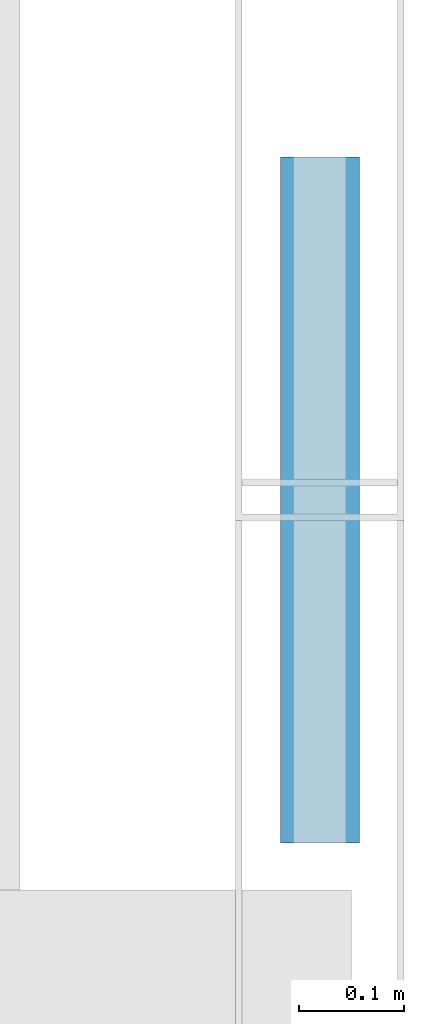
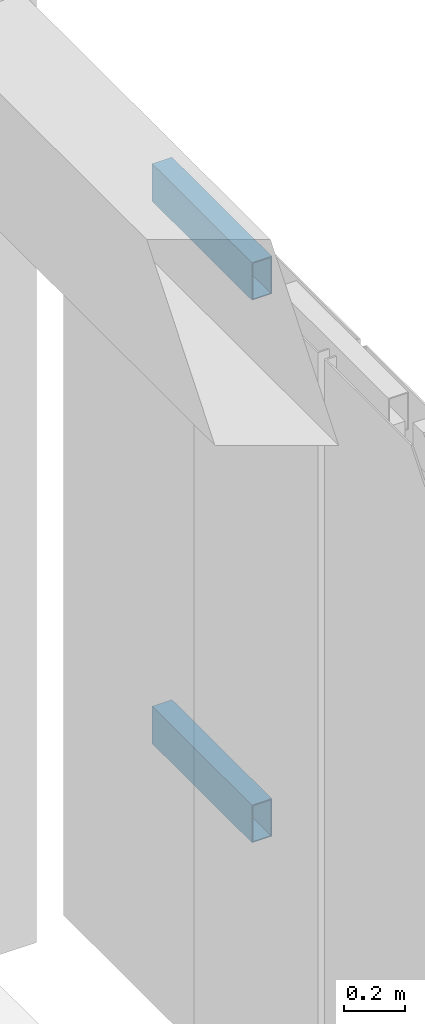
# One storey, part 15 of 33: 2 members, 1 element without a shape of its own.
"""IFC4 building model written with IfcOpenShell, lengths in metres."""

from ifc_helpers import new_model, si_unit, direction, frame, origin, origin_2d, place, context, subcontext, project, spatial, hollow_rectangle, extrude, material, material_profile, profile_set, type_object, element, aggregate, save


model = new_model("IFC4")

# Units and contexts
model_context = context("Model", 3, precision=1e-05, world=origin(), true_north=direction((0.0, 1.0)))
body_context = subcontext(model_context, "Body", "Model", "MODEL_VIEW")
ifc_project = project(units=[si_unit("LENGTHUNIT", "METRE"), si_unit("AREAUNIT", "SQUARE_METRE"), si_unit("VOLUMEUNIT", "CUBIC_METRE"), si_unit("PLANEANGLEUNIT", "RADIAN"), si_unit("MASSUNIT", "GRAM", prefix="KILO")], contexts=[model_context])

# Site, building, storey
site_placement = place(None, origin())
site = spatial("IfcSite", under=ifc_project, at=site_placement, CompositionType="ELEMENT")
building_placement = place(site_placement, origin())
building = spatial("IfcBuilding", under=site, at=building_placement, Name="Aldebral Square Health Centre", CompositionType="ELEMENT")
storey_placement = place(building_placement, frame((0.0, 0.0, 17.550048828125)))
storey = spatial("IfcBuildingStorey", under=building, at=storey_placement, Name="L04", CompositionType="ELEMENT", Elevation=17.550048828125)

# Curtain wall, members
ifc_material_1 = material(Name="Aluminium and low-E solar glass", Category="aluminium")
curtain_wall_type = type_object("IfcCurtainWallType", Name="CW-FIN-SYS", PredefinedType="USERDEFINED", material=ifc_material_1)
curtain_wall_placement = place(storey_placement, origin())
curtain_wall = element("IfcCurtainWall", 1, at=curtain_wall_placement, inside=storey, type_object=curtain_wall_type, Name="L04 V5 finned curtain wall L04-V5-22-15-E", ObjectType="SOLAR_CURTAIN_WALL", PredefinedType="USERDEFINED")
ifc_material_2 = material(Name="Anodised aluminium transom", Category="aluminium")
ifc_material_profile = material_profile(ifc_material_2, hollow_rectangle(XDim=0.074951171875, YDim=0.14990234375, WallThickness=0.00390625, at=origin_2d()), Name="CWT 75x150x4")
ifc_profile_set = profile_set([ifc_material_profile], Name="Anodised aluminium transom")
member_type = type_object("IfcMemberType", Name="CWT-STD", PredefinedType="USERDEFINED", material=ifc_profile_set)
member_1_placement = place(storey_placement, frame((166.06005859375, 113.90869140625, 1.050048828125), z_axis=(0.0, 1.0, 0.0), x_axis=(-1.0, 0.0, 0.0)))
member_1 = element("IfcMember", 2, at=member_1_placement, type_object=member_type, Name="CW1 transom 7.2", ObjectType="TRANSOM", PredefinedType="USERDEFINED", context=body_context, shape_type="SweptSolid", body=[
    extrude(hollow_rectangle(XDim=0.074951171875, YDim=0.14990234375, WallThickness=0.00390625, at=origin_2d()), origin(), (0.0, 0.0, 1.0), 0.6513671875),
])
member_2_placement = place(storey_placement, frame((166.06005859375, 113.90869140625, 3.21240234375), z_axis=(0.0, 1.0, 0.0), x_axis=(-1.0, 0.0, 0.0)))
member_2 = element("IfcMember", 3, at=member_2_placement, type_object=member_type, Name="CW1 transom 7.3", ObjectType="TRANSOM", PredefinedType="USERDEFINED", context=body_context, shape_type="SweptSolid", body=[
    extrude(hollow_rectangle(XDim=0.074951171875, YDim=0.14990234375, WallThickness=0.00390625, at=origin_2d()), origin(), (0.0, 0.0, 1.0), 0.6513671875),
])
aggregate(curtain_wall, [member_1, member_2])

save(model, "model.ifc")
